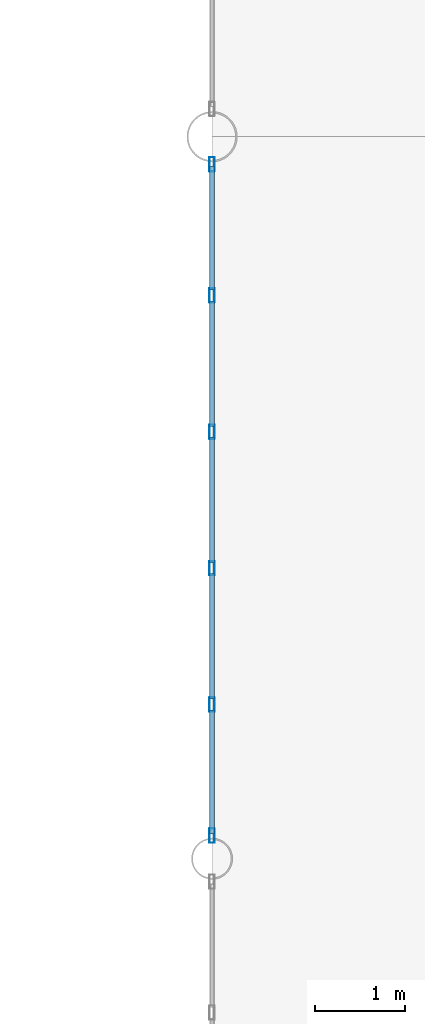
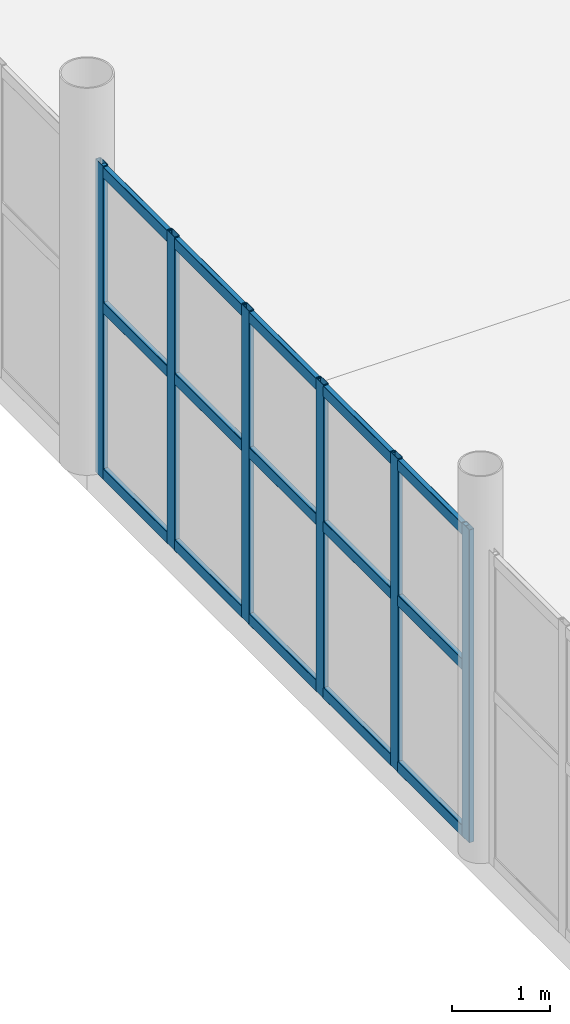
# One storey, part 40 of 178: 21 members, 1 element without a shape of its own.
"""IFC4 building model written with IfcOpenShell, lengths in metres."""

import ifcopenshell
import ifcopenshell.guid

model = None  # the IFC model being written
_history = None  # IfcOwnerHistory: only IFC2X3 demands one
_inside = {}  # id of a spatial element -> (the spatial element, [elements in it])
_under = {}  # id of a project, library or spatial element -> (it, [spatial elements below it])
_declared = {}  # id of a project -> (the project, [libraries it declares])
_typed = {}  # id of a type object -> (the type object, [elements of that type])
_made_of = {}  # id of a material, layer set ... -> (it, [elements and type objects made of it])


def new_model(schema):
    """Start an empty IFC model of exactly this schema.

    Asked for "IFC4X3", IfcOpenShell would pick the latest addendum, in which some entities
    have other attributes; the version numbers below select the first issue.
    IFC2X3 requires an IfcOwnerHistory on every rooted entity: one is made here for all.
    """
    global model, _history
    if schema == "IFC4X3":
        model = ifcopenshell.file(schema_version=(4, 3, 0, 0))
    else:
        model = ifcopenshell.file(schema=schema)
    _inside.clear()
    _under.clear()
    _declared.clear()
    _typed.clear()
    _made_of.clear()
    _history = None
    if model.schema == "IFC2X3":
        org = make("IfcOrganization", Name="unknown")
        user = make(
            "IfcPersonAndOrganization",
            ThePerson=make("IfcPerson", FamilyName="unknown"),
            TheOrganization=org,
        )
        app = make(
            "IfcApplication",
            ApplicationDeveloper=org,
            Version="unknown",
            ApplicationFullName="unknown",
            ApplicationIdentifier="unknown",
        )
        _history = make(
            "IfcOwnerHistory",
            OwningUser=user,
            OwningApplication=app,
            ChangeAction="ADDED",
            CreationDate=0,
        )
    return model


def make(cls, **values):
    """One entity of the class cls with the attributes given. An attribute that is None is left unset."""
    return model.create_entity(
        cls, **{name: value for name, value in values.items() if value is not None}
    )


def rooted(cls, **values):
    """An entity with a GlobalId (a new one), such as an element, a storey or a relation."""
    return make(cls, GlobalId=ifcopenshell.guid.new(), OwnerHistory=_history, **values)


def si_unit(unit_type, name, prefix=None):
    """IfcSIUnit, for example si_unit("LENGTHUNIT", "METRE", prefix="MILLI")."""
    return make("IfcSIUnit", UnitType=unit_type, Prefix=prefix, Name=name)


def derived_unit(unit_type, elements):
    """IfcDerivedUnit: a product of units, each with its exponent."""
    return make(
        "IfcDerivedUnit",
        Elements=[
            make("IfcDerivedUnitElement", Unit=unit, Exponent=power)
            for unit, power in elements
        ],
        UnitType=unit_type,
    )


def assignment(units):
    """IfcUnitAssignment: the units of a project."""
    return None if units is None else make("IfcUnitAssignment", Units=units)


def point(xyz):
    """IfcCartesianPoint."""
    return None if xyz is None else make("IfcCartesianPoint", Coordinates=xyz)


def direction(xyz):
    """IfcDirection."""
    return None if xyz is None else make("IfcDirection", DirectionRatios=xyz)


def frame(location, z_axis=None, x_axis=None):
    """IfcAxis2Placement3D, a coordinate frame: its origin and axes. An axis left out is left unset."""
    return make(
        "IfcAxis2Placement3D",
        Location=point(location),
        Axis=direction(z_axis),
        RefDirection=direction(x_axis),
    )


def frame_2d(location, x_axis=None):
    """IfcAxis2Placement2D, a coordinate frame in the plane: its origin and x axis."""
    return make(
        "IfcAxis2Placement2D", Location=point(location), RefDirection=direction(x_axis)
    )


def origin():
    """The frame at (0, 0, 0) with its axes left unset."""
    return frame((0.0, 0.0, 0.0))


def origin_2d():
    """The frame at (0, 0) in the plane with its x axis left unset."""
    return frame_2d((0.0, 0.0))


def place(relative_to, where):
    """IfcLocalPlacement: puts the frame where relative to a parent placement (None: the world)."""
    return make(
        "IfcLocalPlacement", PlacementRelTo=relative_to, RelativePlacement=where
    )


def context(
    kind, dimensions, precision=None, world=None, true_north=None, identifier=None
):
    """IfcGeometricRepresentationContext, for example the 3D "Model" context."""
    return make(
        "IfcGeometricRepresentationContext",
        ContextIdentifier=identifier,
        ContextType=kind,
        CoordinateSpaceDimension=dimensions,
        Precision=precision,
        WorldCoordinateSystem=world,
        TrueNorth=true_north,
    )


def subcontext(parent, identifier, kind, view, scale=None):
    """IfcGeometricRepresentationSubContext, for example "Body" below "Model"."""
    return make(
        "IfcGeometricRepresentationSubContext",
        ContextIdentifier=identifier,
        ContextType=kind,
        ParentContext=parent,
        TargetScale=scale,
        TargetView=view,
    )


def project(units=None, contexts=None):
    """IfcProject with its units and contexts."""
    return rooted(
        "IfcProject",
        Name="project",
        RepresentationContexts=contexts,
        UnitsInContext=assignment(units),
    )


def spatial(cls, under=None, at=None, **own):
    """A site, building, storey or space (cls), placed at a placement, below another one or the project."""
    s = rooted(cls, ObjectPlacement=at, **own)
    if under is not None:
        _under.setdefault(under.id(), (under, []))[1].append(s)
    return s


def profile(cls, at=None, kind="AREA", **sizes):
    """A parametric profile (cls). Its sizes go by their IFC names, for example OverallWidth=200.0."""
    return make(cls, ProfileType=kind, Position=at, **sizes)


def hollow_rectangle(**sizes):
    """IfcRectangleHollowProfileDef."""
    return profile("IfcRectangleHollowProfileDef", **sizes)


def extrude(swept, where, along, depth):
    """IfcExtrudedAreaSolid: the profile swept, set in the frame where, extruded along a direction by depth."""
    return make(
        "IfcExtrudedAreaSolid",
        SweptArea=swept,
        Position=where,
        ExtrudedDirection=direction(along),
        Depth=depth,
    )


def shape(context_of_items, identifier, shape_type, items):
    """IfcShapeRepresentation: the items that make up one representation, for example the "Body"."""
    return make(
        "IfcShapeRepresentation",
        ContextOfItems=context_of_items,
        RepresentationIdentifier=identifier,
        RepresentationType=shape_type,
        Items=items,
    )


def material(Name=None, Category=None):
    """IfcMaterial."""
    return make("IfcMaterial", Name=Name, Category=Category)


def material_profile(
    of_material, cross_section, Name=None, Category=None, Priority=None
):
    """IfcMaterialProfile: a cross section and its material."""
    return make(
        "IfcMaterialProfile",
        Name=Name,
        Material=of_material,
        Profile=cross_section,
        Priority=Priority,
        Category=Category,
    )


def profile_set(profiles, Name=None, composite=None):
    """IfcMaterialProfileSet."""
    return make(
        "IfcMaterialProfileSet",
        Name=Name,
        MaterialProfiles=profiles,
        CompositeProfile=composite,
    )


def made_of(thing, what):
    """Note that an element or type object is made of a material, layer set ...; save() writes the relation."""
    if what is not None:
        _made_of.setdefault(what.id(), (what, []))[1].append(thing)
    return thing


def type_object(cls, material=None, **own):
    """A type object (cls), such as IfcWallType, which elements share."""
    return made_of(rooted(cls, **own), material)


def element(
    cls,
    number,
    at=None,
    inside=None,
    cuts=None,
    type_object=None,
    material=None,
    context=None,
    identifier="Body",
    shape_type=None,
    held_by="IfcProductDefinitionShape",
    body=None,
    shapes=None,
    **own,
):
    """One element of the class cls, such as IfcWall. Its Tag is "e" and its number.

    at: its placement. inside: the storey or other place that contains it. cuts: it is an
    opening in that element (IfcRelVoidsElement). A single representation is given by context,
    identifier, shape_type and body (its items); several are given by shapes. held_by: the class
    of the entity that holds the representations. save() writes the other relations.
    """
    e = rooted(cls, Tag="e%d" % number, ObjectPlacement=at, **own)
    if body is not None:
        shapes = [shape(context, identifier, shape_type, body)]
    if shapes is not None:
        e.Representation = make(held_by, Representations=shapes)
    if inside is not None:
        _inside.setdefault(inside.id(), (inside, []))[1].append(e)
    if cuts is not None:
        rooted(
            "IfcRelVoidsElement", RelatingBuildingElement=cuts, RelatedOpeningElement=e
        )
    if type_object is not None:
        _typed.setdefault(type_object.id(), (type_object, []))[1].append(e)
    return made_of(e, material)


def aggregate(whole, parts):
    """IfcRelAggregates: a whole, such as a stair, and the parts it consists of."""
    return rooted("IfcRelAggregates", RelatingObject=whole, RelatedObjects=parts)


def save(model, path):
    """Write the relations noted so far, then the file.

    IfcRelAggregates (storeys below a building ...), IfcRelContainedInSpatialStructure (elements
    in a storey), IfcRelDefinesByType, IfcRelAssociatesMaterial and IfcRelDeclares: one each for
    every whole, place, type object, material and project.
    """
    for whole, parts in _under.values():
        aggregate(whole, parts)
    for where, things in _inside.values():
        rooted(
            "IfcRelContainedInSpatialStructure",
            RelatedElements=things,
            RelatingStructure=where,
        )
    for kind, things in _typed.values():
        rooted("IfcRelDefinesByType", RelatedObjects=things, RelatingType=kind)
    for what, things in _made_of.values():
        rooted("IfcRelAssociatesMaterial", RelatedObjects=things, RelatingMaterial=what)
    for by, libraries in _declared.values():
        rooted("IfcRelDeclares", RelatingContext=by, RelatedDefinitions=libraries)
    model.write(path)


model = new_model("IFC4")

# Units and contexts
model_context = context("Model", 3, precision=1e-05, world=origin(), true_north=direction((0.0, 1.0)))
body_context = subcontext(model_context, "Body", "Model", "MODEL_VIEW")
ifc_project = project(units=[si_unit("LENGTHUNIT", "METRE"), si_unit("AREAUNIT", "SQUARE_METRE"), si_unit("VOLUMEUNIT", "CUBIC_METRE"), si_unit("PLANEANGLEUNIT", "RADIAN"), si_unit("MASSUNIT", "GRAM", prefix="KILO"), derived_unit("THERMALTRANSMITTANCEUNIT", [(si_unit("MASSUNIT", "GRAM", prefix="KILO"), 1), (si_unit("TIMEUNIT", "SECOND"), -3), (si_unit("THERMODYNAMICTEMPERATUREUNIT", "KELVIN"), -1)])], contexts=[model_context])

# Site, building, storey
site_placement = place(None, origin())
site = spatial("IfcSite", under=ifc_project, at=site_placement, CompositionType="ELEMENT")
building_placement = place(site_placement, origin())
building = spatial("IfcBuilding", under=site, at=building_placement, Name="Zhenchuan Archway Interchange", CompositionType="ELEMENT")
storey_placement = place(building_placement, frame((0.0, 0.0, 5.39990234375)))
storey = spatial("IfcBuildingStorey", under=building, at=storey_placement, Name="L01", CompositionType="ELEMENT", Elevation=5.39990234375)

# Curtain wall, members
ifc_material = material(Name="Anodised Aluminium", Category="aluminium")
curtain_wall_type = type_object("IfcCurtainWallType", Name="CW_UNIT_1", PredefinedType="NOTDEFINED", material=ifc_material)
curtain_wall_placement = place(storey_placement, origin())
curtain_wall = element("IfcCurtainWall", 1, at=curtain_wall_placement, inside=storey, type_object=curtain_wall_type, Name="Unitised curtain wall CW:L01:032", PredefinedType="NOTDEFINED")
ifc_material_profile_1 = material_profile(ifc_material, hollow_rectangle(XDim=0.06005859375, YDim=0.159912109375, WallThickness=0.00390625, InnerFilletRadius=0.00390625, OuterFilletRadius=0.008056640625, at=origin_2d()), Name="ALU 160x60x4")
ifc_profile_set_1 = profile_set([ifc_material_profile_1], Name="Anodised Aluminium")
member_type_1 = type_object("IfcMemberType", Name="CW_MUL_150", PredefinedType="MULLION", material=ifc_profile_set_1)
member_1_placement = place(storey_placement, frame((18.0, 48.255615234375, 0.0), z_axis=(0.0, 0.0, 1.0), x_axis=(1.0, 0.0, 0.0)))
member_1 = element("IfcMember", 2, at=member_1_placement, type_object=member_type_1, Name="CW:L01:032 mullion 0", PredefinedType="MULLION", context=body_context, shape_type="SweptSolid", body=[
    extrude(hollow_rectangle(XDim=0.06005859375, YDim=0.159912109375, WallThickness=0.00390625, InnerFilletRadius=0.00390625, OuterFilletRadius=0.008056640625, at=origin_2d()), origin(), (0.0, 0.0, 1.0), 3.880126953125),
])
member_2_placement = place(storey_placement, frame((18.0, 49.70703125, 0.0), z_axis=(0.0, 0.0, 1.0), x_axis=(1.0, 0.0, 0.0)))
member_2 = element("IfcMember", 3, at=member_2_placement, type_object=member_type_1, Name="CW:L01:032 mullion 1", PredefinedType="MULLION", context=body_context, shape_type="SweptSolid", body=[
    extrude(hollow_rectangle(XDim=0.06005859375, YDim=0.159912109375, WallThickness=0.00390625, InnerFilletRadius=0.00390625, OuterFilletRadius=0.008056640625, at=origin_2d()), origin(), (0.0, 0.0, 1.0), 3.880126953125),
])
member_3_placement = place(storey_placement, frame((18.0, 51.21875, 0.0), z_axis=(0.0, 0.0, 1.0), x_axis=(1.0, 0.0, 0.0)))
member_3 = element("IfcMember", 4, at=member_3_placement, type_object=member_type_1, Name="CW:L01:032 mullion 2", PredefinedType="MULLION", context=body_context, shape_type="SweptSolid", body=[
    extrude(hollow_rectangle(XDim=0.06005859375, YDim=0.159912109375, WallThickness=0.00390625, InnerFilletRadius=0.00390625, OuterFilletRadius=0.008056640625, at=origin_2d()), origin(), (0.0, 0.0, 1.0), 3.880126953125),
])
member_4_placement = place(storey_placement, frame((18.0, 52.730224609375, 0.0), z_axis=(0.0, 0.0, 1.0), x_axis=(1.0, 0.0, 0.0)))
member_4 = element("IfcMember", 5, at=member_4_placement, type_object=member_type_1, Name="CW:L01:032 mullion 3", PredefinedType="MULLION", context=body_context, shape_type="SweptSolid", body=[
    extrude(hollow_rectangle(XDim=0.06005859375, YDim=0.159912109375, WallThickness=0.00390625, InnerFilletRadius=0.00390625, OuterFilletRadius=0.008056640625, at=origin_2d()), origin(), (0.0, 0.0, 1.0), 3.880126953125),
])
member_5_placement = place(storey_placement, frame((18.0, 54.241943359375, 0.0), z_axis=(0.0, 0.0, 1.0), x_axis=(1.0, 0.0, 0.0)))
member_5 = element("IfcMember", 6, at=member_5_placement, type_object=member_type_1, Name="CW:L01:032 mullion 4", PredefinedType="MULLION", context=body_context, shape_type="SweptSolid", body=[
    extrude(hollow_rectangle(XDim=0.06005859375, YDim=0.159912109375, WallThickness=0.00390625, InnerFilletRadius=0.00390625, OuterFilletRadius=0.008056640625, at=origin_2d()), origin(), (0.0, 0.0, 1.0), 3.880126953125),
])
member_6_placement = place(storey_placement, frame((18.0, 55.693603515625, 0.0), z_axis=(0.0, 0.0, 1.0), x_axis=(1.0, 0.0, 0.0)))
member_6 = element("IfcMember", 7, at=member_6_placement, type_object=member_type_1, Name="CW:L01:032 mullion 5", PredefinedType="MULLION", context=body_context, shape_type="SweptSolid", body=[
    extrude(hollow_rectangle(XDim=0.06005859375, YDim=0.159912109375, WallThickness=0.00390625, InnerFilletRadius=0.00390625, OuterFilletRadius=0.008056640625, at=origin_2d()), origin(), (0.0, 0.0, 1.0), 3.880126953125),
])
ifc_material_profile_2 = material_profile(ifc_material, hollow_rectangle(XDim=0.06005859375, YDim=0.139892578125, WallThickness=0.00341796875, InnerFilletRadius=0.00341796875, OuterFilletRadius=0.007080078125, at=origin_2d()), Name="ALU 140x60x3.5")
ifc_profile_set_2 = profile_set([ifc_material_profile_2], Name="Anodised Aluminium")
member_type_2 = type_object("IfcMemberType", Name="CW_TRN_140", PredefinedType="USERDEFINED", material=ifc_profile_set_2)
member_7_placement = place(storey_placement, frame((18.0, 48.275390625, 0.06005859375), z_axis=(0.0, 1.0, 0.0), x_axis=(-1.0, 0.0, 0.0)))
member_7 = element("IfcMember", 8, at=member_7_placement, type_object=member_type_2, Name="CW:L01:032 transom 0-1", ObjectType="TRANSOM", PredefinedType="USERDEFINED", context=body_context, shape_type="SweptSolid", body=[
    extrude(hollow_rectangle(XDim=0.06005859375, YDim=0.139892578125, WallThickness=0.00341796875, InnerFilletRadius=0.00341796875, OuterFilletRadius=0.007080078125, at=origin_2d()), origin(), (0.0, 0.0, 1.0), 1.371826171875),
])
member_8_placement = place(storey_placement, frame((18.0, 48.275390625, 2.123046875), z_axis=(0.0, 1.0, 0.0), x_axis=(-1.0, 0.0, 0.0)))
member_8 = element("IfcMember", 9, at=member_8_placement, type_object=member_type_2, Name="CW:L01:032 transom 0-2", ObjectType="TRANSOM", PredefinedType="USERDEFINED", context=body_context, shape_type="SweptSolid", body=[
    extrude(hollow_rectangle(XDim=0.06005859375, YDim=0.139892578125, WallThickness=0.00341796875, InnerFilletRadius=0.00341796875, OuterFilletRadius=0.007080078125, at=origin_2d()), origin(), (0.0, 0.0, 1.0), 1.371826171875),
])
member_9_placement = place(storey_placement, frame((18.0, 48.275390625, 3.800048828125), z_axis=(0.0, 1.0, 0.0), x_axis=(-1.0, 0.0, 0.0)))
member_9 = element("IfcMember", 10, at=member_9_placement, type_object=member_type_2, Name="CW:L01:032 transom 0-3", ObjectType="TRANSOM", PredefinedType="USERDEFINED", context=body_context, shape_type="SweptSolid", body=[
    extrude(hollow_rectangle(XDim=0.06005859375, YDim=0.139892578125, WallThickness=0.00341796875, InnerFilletRadius=0.00341796875, OuterFilletRadius=0.007080078125, at=origin_2d()), origin(), (0.0, 0.0, 1.0), 1.371826171875),
])
member_10_placement = place(storey_placement, frame((18.0, 49.76708984375, 0.06005859375), z_axis=(0.0, 1.0, 0.0), x_axis=(-1.0, 0.0, 0.0)))
member_10 = element("IfcMember", 11, at=member_10_placement, type_object=member_type_2, Name="CW:L01:032 transom 1-1", ObjectType="TRANSOM", PredefinedType="USERDEFINED", context=body_context, shape_type="SweptSolid", body=[
    extrude(hollow_rectangle(XDim=0.06005859375, YDim=0.139892578125, WallThickness=0.00341796875, InnerFilletRadius=0.00341796875, OuterFilletRadius=0.007080078125, at=origin_2d()), origin(), (0.0, 0.0, 1.0), 1.3916015625),
])
member_11_placement = place(storey_placement, frame((18.0, 49.76708984375, 2.123046875), z_axis=(0.0, 1.0, 0.0), x_axis=(-1.0, 0.0, 0.0)))
member_11 = element("IfcMember", 12, at=member_11_placement, type_object=member_type_2, Name="CW:L01:032 transom 1-2", ObjectType="TRANSOM", PredefinedType="USERDEFINED", context=body_context, shape_type="SweptSolid", body=[
    extrude(hollow_rectangle(XDim=0.06005859375, YDim=0.139892578125, WallThickness=0.00341796875, InnerFilletRadius=0.00341796875, OuterFilletRadius=0.007080078125, at=origin_2d()), origin(), (0.0, 0.0, 1.0), 1.3916015625),
])
member_12_placement = place(storey_placement, frame((18.0, 49.76708984375, 3.800048828125), z_axis=(0.0, 1.0, 0.0), x_axis=(-1.0, 0.0, 0.0)))
member_12 = element("IfcMember", 13, at=member_12_placement, type_object=member_type_2, Name="CW:L01:032 transom 1-3", ObjectType="TRANSOM", PredefinedType="USERDEFINED", context=body_context, shape_type="SweptSolid", body=[
    extrude(hollow_rectangle(XDim=0.06005859375, YDim=0.139892578125, WallThickness=0.00341796875, InnerFilletRadius=0.00341796875, OuterFilletRadius=0.007080078125, at=origin_2d()), origin(), (0.0, 0.0, 1.0), 1.3916015625),
])
member_13_placement = place(storey_placement, frame((18.0, 51.27880859375, 0.06005859375), z_axis=(0.0, 1.0, 0.0), x_axis=(-1.0, 0.0, 0.0)))
member_13 = element("IfcMember", 14, at=member_13_placement, type_object=member_type_2, Name="CW:L01:032 transom 2-1", ObjectType="TRANSOM", PredefinedType="USERDEFINED", context=body_context, shape_type="SweptSolid", body=[
    extrude(hollow_rectangle(XDim=0.06005859375, YDim=0.139892578125, WallThickness=0.00341796875, InnerFilletRadius=0.00341796875, OuterFilletRadius=0.007080078125, at=origin_2d()), origin(), (0.0, 0.0, 1.0), 1.3916015625),
])
member_14_placement = place(storey_placement, frame((18.0, 51.27880859375, 2.123046875), z_axis=(0.0, 1.0, 0.0), x_axis=(-1.0, 0.0, 0.0)))
member_14 = element("IfcMember", 15, at=member_14_placement, type_object=member_type_2, Name="CW:L01:032 transom 2-2", ObjectType="TRANSOM", PredefinedType="USERDEFINED", context=body_context, shape_type="SweptSolid", body=[
    extrude(hollow_rectangle(XDim=0.06005859375, YDim=0.139892578125, WallThickness=0.00341796875, InnerFilletRadius=0.00341796875, OuterFilletRadius=0.007080078125, at=origin_2d()), origin(), (0.0, 0.0, 1.0), 1.3916015625),
])
member_15_placement = place(storey_placement, frame((18.0, 51.27880859375, 3.800048828125), z_axis=(0.0, 1.0, 0.0), x_axis=(-1.0, 0.0, 0.0)))
member_15 = element("IfcMember", 16, at=member_15_placement, type_object=member_type_2, Name="CW:L01:032 transom 2-3", ObjectType="TRANSOM", PredefinedType="USERDEFINED", context=body_context, shape_type="SweptSolid", body=[
    extrude(hollow_rectangle(XDim=0.06005859375, YDim=0.139892578125, WallThickness=0.00341796875, InnerFilletRadius=0.00341796875, OuterFilletRadius=0.007080078125, at=origin_2d()), origin(), (0.0, 0.0, 1.0), 1.3916015625),
])
member_16_placement = place(storey_placement, frame((18.0, 52.790283203125, 0.06005859375), z_axis=(0.0, 1.0, 0.0), x_axis=(-1.0, 0.0, 0.0)))
member_16 = element("IfcMember", 17, at=member_16_placement, type_object=member_type_2, Name="CW:L01:032 transom 3-1", ObjectType="TRANSOM", PredefinedType="USERDEFINED", context=body_context, shape_type="SweptSolid", body=[
    extrude(hollow_rectangle(XDim=0.06005859375, YDim=0.139892578125, WallThickness=0.00341796875, InnerFilletRadius=0.00341796875, OuterFilletRadius=0.007080078125, at=origin_2d()), origin(), (0.0, 0.0, 1.0), 1.3916015625),
])
member_17_placement = place(storey_placement, frame((18.0, 52.790283203125, 2.123046875), z_axis=(0.0, 1.0, 0.0), x_axis=(-1.0, 0.0, 0.0)))
member_17 = element("IfcMember", 18, at=member_17_placement, type_object=member_type_2, Name="CW:L01:032 transom 3-2", ObjectType="TRANSOM", PredefinedType="USERDEFINED", context=body_context, shape_type="SweptSolid", body=[
    extrude(hollow_rectangle(XDim=0.06005859375, YDim=0.139892578125, WallThickness=0.00341796875, InnerFilletRadius=0.00341796875, OuterFilletRadius=0.007080078125, at=origin_2d()), origin(), (0.0, 0.0, 1.0), 1.3916015625),
])
member_18_placement = place(storey_placement, frame((18.0, 52.790283203125, 3.800048828125), z_axis=(0.0, 1.0, 0.0), x_axis=(-1.0, 0.0, 0.0)))
member_18 = element("IfcMember", 19, at=member_18_placement, type_object=member_type_2, Name="CW:L01:032 transom 3-3", ObjectType="TRANSOM", PredefinedType="USERDEFINED", context=body_context, shape_type="SweptSolid", body=[
    extrude(hollow_rectangle(XDim=0.06005859375, YDim=0.139892578125, WallThickness=0.00341796875, InnerFilletRadius=0.00341796875, OuterFilletRadius=0.007080078125, at=origin_2d()), origin(), (0.0, 0.0, 1.0), 1.3916015625),
])
member_19_placement = place(storey_placement, frame((18.0, 54.302001953125, 0.06005859375), z_axis=(0.0, 1.0, 0.0), x_axis=(-1.0, 0.0, 0.0)))
member_19 = element("IfcMember", 20, at=member_19_placement, type_object=member_type_2, Name="CW:L01:032 transom 4-1", ObjectType="TRANSOM", PredefinedType="USERDEFINED", context=body_context, shape_type="SweptSolid", body=[
    extrude(hollow_rectangle(XDim=0.06005859375, YDim=0.139892578125, WallThickness=0.00341796875, InnerFilletRadius=0.00341796875, OuterFilletRadius=0.007080078125, at=origin_2d()), origin(), (0.0, 0.0, 1.0), 1.37158203125),
])
member_20_placement = place(storey_placement, frame((18.0, 54.302001953125, 2.123046875), z_axis=(0.0, 1.0, 0.0), x_axis=(-1.0, 0.0, 0.0)))
member_20 = element("IfcMember", 21, at=member_20_placement, type_object=member_type_2, Name="CW:L01:032 transom 4-2", ObjectType="TRANSOM", PredefinedType="USERDEFINED", context=body_context, shape_type="SweptSolid", body=[
    extrude(hollow_rectangle(XDim=0.06005859375, YDim=0.139892578125, WallThickness=0.00341796875, InnerFilletRadius=0.00341796875, OuterFilletRadius=0.007080078125, at=origin_2d()), origin(), (0.0, 0.0, 1.0), 1.37158203125),
])
member_21_placement = place(storey_placement, frame((18.0, 54.302001953125, 3.800048828125), z_axis=(0.0, 1.0, 0.0), x_axis=(-1.0, 0.0, 0.0)))
member_21 = element("IfcMember", 22, at=member_21_placement, type_object=member_type_2, Name="CW:L01:032 transom 4-3", ObjectType="TRANSOM", PredefinedType="USERDEFINED", context=body_context, shape_type="SweptSolid", body=[
    extrude(hollow_rectangle(XDim=0.06005859375, YDim=0.139892578125, WallThickness=0.00341796875, InnerFilletRadius=0.00341796875, OuterFilletRadius=0.007080078125, at=origin_2d()), origin(), (0.0, 0.0, 1.0), 1.37158203125),
])
aggregate(curtain_wall, [member_1, member_2, member_3, member_4, member_5, member_6, member_7, member_8, member_9, member_10, member_11, member_12, member_13, member_14, member_15, member_16, member_17, member_18, member_19, member_20, member_21])

save(model, "model.ifc")
